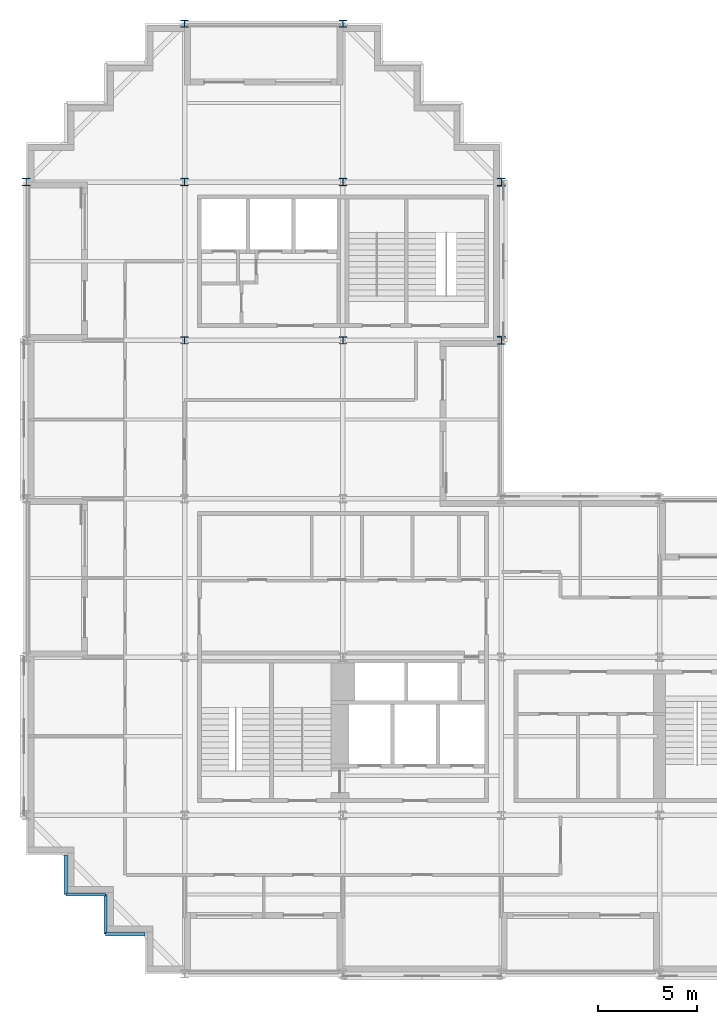
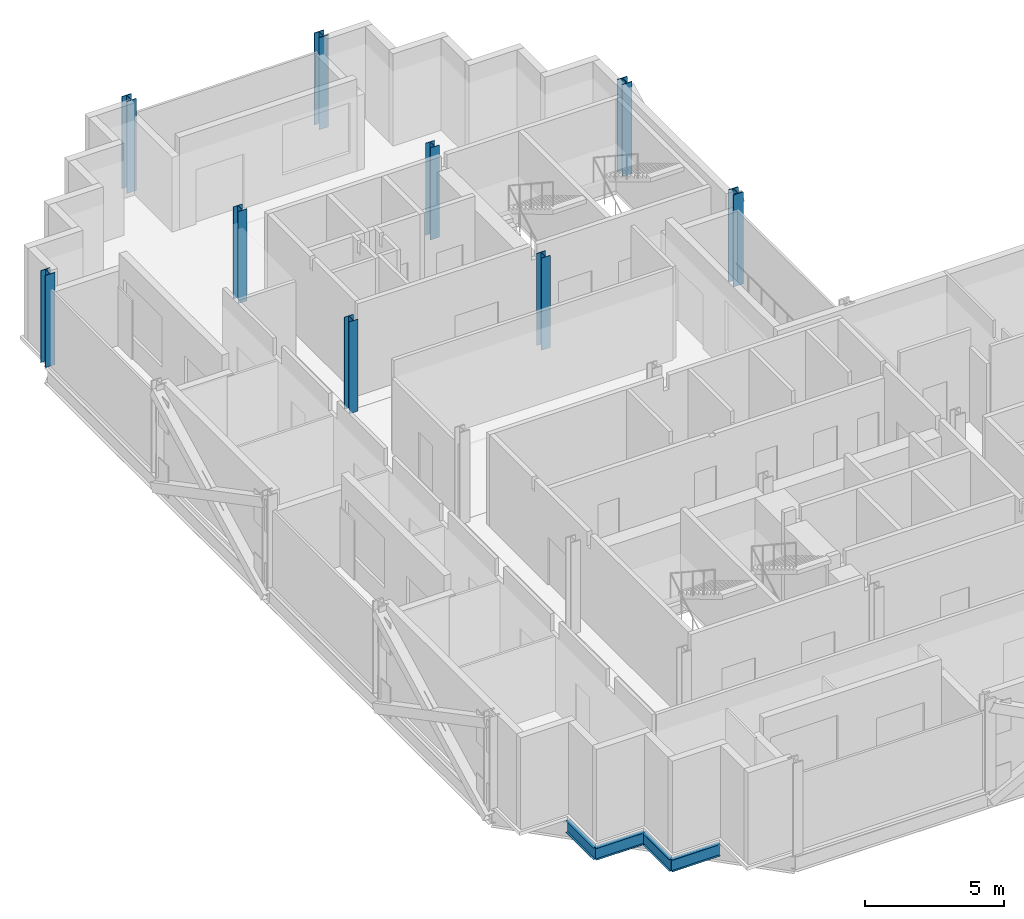
# One storey, part 2 of 11: 9 columns, 4 beams.
"""IFC4 building model written with IfcOpenShell, lengths in metres."""

from ifc_helpers import new_model, si_unit, direction, frame, origin, origin_2d, place, context, subcontext, project, spatial, i_section, extrude, material, material_profile, profile_set, type_object, element, save


model = new_model("IFC4")

# Units and contexts
model_context = context("Model", 3, precision=1e-05, world=origin(), true_north=direction((0.0, 1.0)))
body_context = subcontext(model_context, "Body", "Model", "MODEL_VIEW")
ifc_project = project(units=[si_unit("LENGTHUNIT", "METRE"), si_unit("AREAUNIT", "SQUARE_METRE"), si_unit("VOLUMEUNIT", "CUBIC_METRE"), si_unit("PLANEANGLEUNIT", "RADIAN"), si_unit("MASSUNIT", "GRAM", prefix="KILO")], contexts=[model_context])

# Site, building, storey
site_placement = place(None, origin())
site = spatial("IfcSite", under=ifc_project, at=site_placement, CompositionType="ELEMENT")
building_placement = place(site_placement, origin())
building = spatial("IfcBuilding", under=site, at=building_placement, Name="Immortelle Media Tower", CompositionType="ELEMENT")
storey_placement = place(building_placement, frame((0.0, 0.0, 141.0)))
storey = spatial("IfcBuildingStorey", under=building, at=storey_placement, Name="L28", CompositionType="ELEMENT", Elevation=141.0)

# Columns
ifc_material = material(Name="Steel ASTM A992 Gr 50", Category="steel")
ifc_material_profile_1 = material_profile(ifc_material, i_section(OverallWidth=0.39404296875, OverallDepth=0.3759765625, WebThickness=0.01708984375, FlangeThickness=0.028076171875, at=origin_2d()), Name="W14x145")
ifc_profile_set_1 = profile_set([ifc_material_profile_1], Name="Steel ASTM A992 Gr 50")
column_type_1 = type_object("IfcColumnType", Name="W14x145 column", PredefinedType="COLUMN", material=ifc_profile_set_1)
for number, where, z_axis, x_axis, name in (
    (1, (0.0, 40.0, 0.0), (0.0, 0.0, 1.0), (1.0, 0.0, 0.0), "Column 1/F"),
    (2, (8.0, 48.0, 0.0), (0.0, 0.0, 1.0), (1.0, 0.0, 0.0), "Column 2/G"),
    (3, (16.0, 48.0, 0.0), (0.0, 0.0, 1.0), (1.0, 0.0, 0.0), "Column 3/G"),
):
    element("IfcColumn", number, at=place(storey_placement, frame(where, z_axis=z_axis, x_axis=x_axis)), inside=storey, type_object=column_type_1, Name=name, PredefinedType="COLUMN", context=body_context, shape_type="SweptSolid", body=[
        extrude(i_section(OverallWidth=0.39404296875, OverallDepth=0.3759765625, WebThickness=0.01708984375, FlangeThickness=0.028076171875, at=origin_2d()), origin(), (0.0, 0.0, 1.0), 4.050048828125),
    ])
ifc_material_profile_2 = material_profile(ifc_material, i_section(OverallWidth=0.40087890625, OverallDepth=0.39892578125, WebThickness=0.02490234375, FlangeThickness=0.0400390625, at=origin_2d()), Name="W14x211")
ifc_profile_set_2 = profile_set([ifc_material_profile_2], Name="Steel ASTM A992 Gr 50")
column_type_2 = type_object("IfcColumnType", Name="W14x211 column", PredefinedType="COLUMN", material=ifc_profile_set_2)
for number, where, z_axis, x_axis, name in (
    (4, (24.0, 32.0, 0.0), (0.0, 0.0, 1.0), (1.0, 0.0, 0.0), "Column 4/E"),
    (5, (24.0, 40.0, 0.0), (0.0, 0.0, 1.0), (1.0, 0.0, 0.0), "Column 4/F"),
):
    element("IfcColumn", number, at=place(storey_placement, frame(where, z_axis=z_axis, x_axis=x_axis)), inside=storey, type_object=column_type_2, Name=name, PredefinedType="COLUMN", context=body_context, shape_type="SweptSolid", body=[
        extrude(i_section(OverallWidth=0.40087890625, OverallDepth=0.39892578125, WebThickness=0.02490234375, FlangeThickness=0.0400390625, at=origin_2d()), origin(), (0.0, 0.0, 1.0), 4.050048828125),
    ])
ifc_material_profile_3 = material_profile(ifc_material, i_section(OverallWidth=0.37109375, OverallDepth=0.361083984375, WebThickness=0.011962890625, FlangeThickness=0.02001953125, at=origin_2d()), Name="W14x99")
ifc_profile_set_3 = profile_set([ifc_material_profile_3], Name="Steel ASTM A992 Gr 50")
column_type_3 = type_object("IfcColumnType", Name="W14x99 column", PredefinedType="COLUMN", material=ifc_profile_set_3)
for number, where, z_axis, x_axis, name in (
    (6, (8.0, 32.0, 0.0), (0.0, 0.0, 1.0), (1.0, 0.0, 0.0), "Column 2/E"),
    (7, (8.0, 40.0, 0.0), (0.0, 0.0, 1.0), (1.0, 0.0, 0.0), "Column 2/F"),
    (8, (16.0, 32.0, 0.0), (0.0, 0.0, 1.0), (1.0, 0.0, 0.0), "Column 3/E"),
    (9, (16.0, 40.0, 0.0), (0.0, 0.0, 1.0), (1.0, 0.0, 0.0), "Column 3/F"),
):
    element("IfcColumn", number, at=place(storey_placement, frame(where, z_axis=z_axis, x_axis=x_axis)), inside=storey, type_object=column_type_3, Name=name, PredefinedType="COLUMN", context=body_context, shape_type="SweptSolid", body=[
        extrude(i_section(OverallWidth=0.37109375, OverallDepth=0.361083984375, WebThickness=0.011962890625, FlangeThickness=0.02001953125, at=origin_2d()), origin(), (0.0, 0.0, 1.0), 4.050048828125),
    ])

# Beams
ifc_material_profile_4 = material_profile(ifc_material, i_section(OverallWidth=0.1650390625, OverallDepth=0.52587890625, WebThickness=0.009033203125, FlangeThickness=0.010986328125, at=origin_2d()), Name="W21x44")
ifc_profile_set_4 = profile_set([ifc_material_profile_4], Name="Steel ASTM A992 Gr 50")
beam_type = type_object("IfcBeamType", Name="W21x44 serration edge beam", PredefinedType="SPANDREL", material=ifc_profile_set_4)
for number, where, z_axis, x_axis, name in (
    (10, (6.0, 2.0, -0.4130859375), (-1.0, 0.0, 0.0), (0.0, -1.0, 0.0), "Corner edge beam 1 at 1/A"),
    (11, (4.0, 2.0, -0.4130859375), (0.0, 1.0, 0.0), (-1.0, 0.0, 0.0), "Corner edge beam 2 at 1/A"),
    (12, (4.0, 4.0, -0.4130859375), (-1.0, 0.0, 0.0), (0.0, -1.0, 0.0), "Corner edge beam 3 at 1/A"),
    (13, (2.0, 4.0, -0.4130859375), (0.0, 1.0, 0.0), (-1.0, 0.0, 0.0), "Corner edge beam 4 at 1/A"),
):
    element("IfcBeam", number, at=place(storey_placement, frame(where, z_axis=z_axis, x_axis=x_axis)), inside=storey, type_object=beam_type, Name=name, PredefinedType="SPANDREL", context=body_context, shape_type="SweptSolid", body=[
        extrude(i_section(OverallWidth=0.1650390625, OverallDepth=0.52587890625, WebThickness=0.009033203125, FlangeThickness=0.010986328125, at=origin_2d()), origin(), (0.0, 0.0, 1.0), 2.0),
    ])

save(model, "model.ifc")
